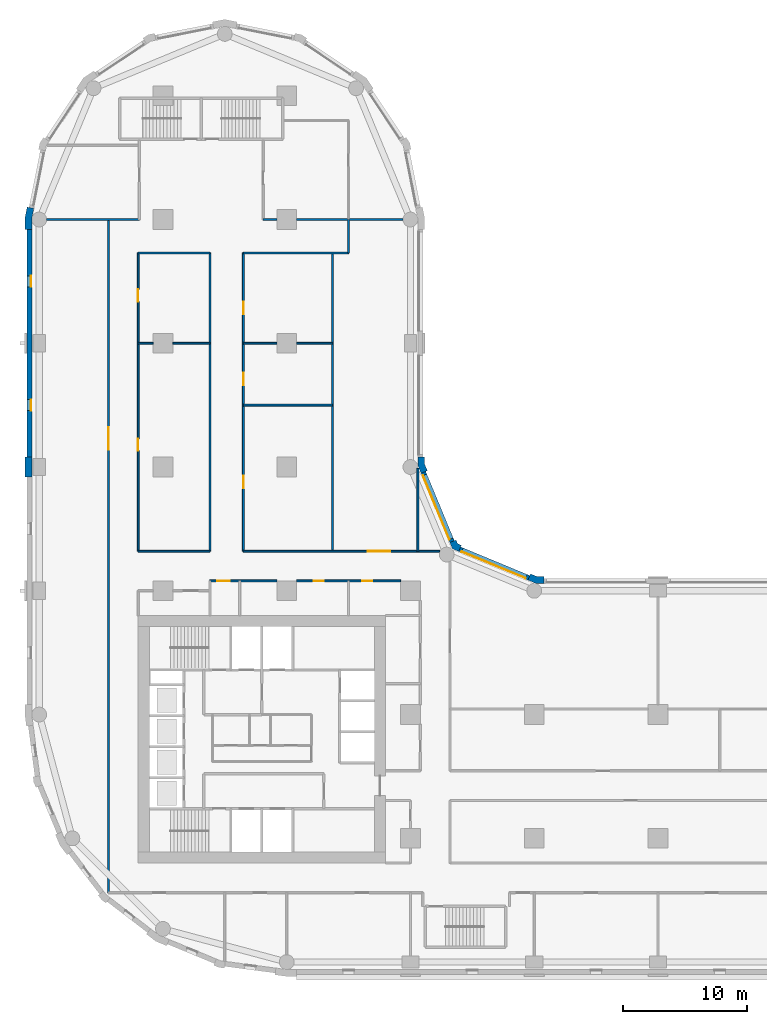
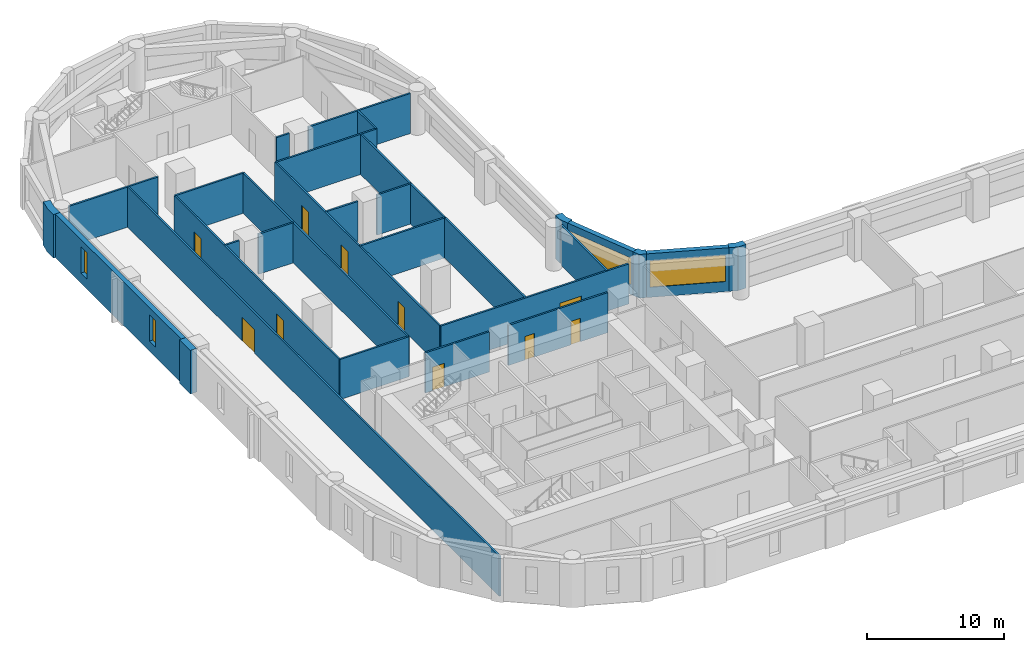
# One storey, part 5 of 10: 29 walls, 10 doors, 4 windows, 14 openings.
"""IFC4 building model written with IfcOpenShell, lengths in metres."""

from ifc_helpers import new_model, si_unit, direction, frame, frame_2d, origin, place, context, subcontext, project, spatial, polyline, rectangle, outline, extrude, material, layer, layer_set, type_object, element, fill, save


model = new_model("IFC4")

# Units and contexts
model_context = context("Model", 3, precision=1e-05, world=origin(), true_north=direction((0.0, 1.0)))
body_context = subcontext(model_context, "Body", "Model", "MODEL_VIEW")
ifc_project = project(units=[si_unit("LENGTHUNIT", "METRE"), si_unit("AREAUNIT", "SQUARE_METRE"), si_unit("VOLUMEUNIT", "CUBIC_METRE"), si_unit("PLANEANGLEUNIT", "RADIAN"), si_unit("MASSUNIT", "GRAM", prefix="KILO")], contexts=[model_context])

# Site, building, storey
site_placement = place(None, origin())
site = spatial("IfcSite", under=ifc_project, at=site_placement, CompositionType="ELEMENT")
building_placement = place(site_placement, origin())
building = spatial("IfcBuilding", under=site, at=building_placement, Name="Qaws Garden Tower", CompositionType="ELEMENT")
storey_placement = place(building_placement, frame((0.0, 0.0, 105.60009765625)))
storey = spatial("IfcBuildingStorey", under=building, at=storey_placement, Name="L26", CompositionType="ELEMENT", Elevation=105.60009765625)

# Wall, opening, window
ifc_material_1 = material(Name="Clay facing brick masonry", Category="masonry")
ifc_layer_1 = layer(ifc_material_1, 0.39990234375)
ifc_layer_set_1 = layer_set([ifc_layer_1], Name="Clay facing brick masonry")
wall_type_1 = type_object("IfcWallType", Name="Brick infill wall 400", PredefinedType="SOLIDWALL", material=ifc_layer_set_1)
wall_1_placement = place(storey_placement, frame((39.56689453125, 31.04541015625, 0.0), z_axis=(0.0, 0.0, 1.0), x_axis=(-0.923891000409, 0.382655745237, 0.0)))
wall_1 = element("IfcWall", 1, at=wall_1_placement, inside=storey, type_object=wall_type_1, Name="E-L26-infill-11", PredefinedType="SOLIDWALL", context=body_context, shape_type="SweptSolid", body=[
    extrude(rectangle(XDim=6.053466796875, YDim=0.39990234375, at=frame_2d((3.02685546875, 0.0))), origin(), (0.0, 0.0, 1.0), 3.89990234375),
])
opening_1_placement = place(wall_1_placement, frame((0.226806640625, 0.0, 0.89990234375)))
opening_1 = element("IfcOpeningElement", 2, at=opening_1_placement, cuts=wall_1, Name="Opening W04", PredefinedType="OPENING", context=body_context, shape_type="SweptSolid", body=[
    extrude(rectangle(XDim=5.60009765625, YDim=2.35009765625, at=frame_2d((2.800048828125, 1.175048828125))), frame((0.0, 0.2099609375, 0.0), z_axis=(0.0, -1.0, 0.0), x_axis=(1.0, 0.0, 0.0)), (0.0, 0.0, 1.0), 0.419921875),
])
ifc_material_2 = material(Name="Aluminium framed window, clear glazing", Category="aluminium")
window_type_1 = type_object("IfcWindowType", Name="Ribbon window 5600 x 2350", PartitioningType="DOUBLE_PANEL_VERTICAL", PredefinedType="WINDOW", material=ifc_material_2)
window_1_placement = place(opening_1_placement, origin())
window_1 = element("IfcWindow", 3, at=window_1_placement, inside=storey, type_object=window_type_1, Name="E-L26-window-11-0", OverallHeight=2.35009765625, OverallWidth=5.60009765625, PartitioningType="SINGLE_PANEL", PredefinedType="WINDOW", context=body_context, shape_type="SweptSolid", body=[
    extrude(rectangle(XDim=5.60009765625, YDim=2.35009765625, at=frame_2d((2.800048828125, 1.175048828125))), frame((0.0, 0.159912109375, 0.0), z_axis=(0.0, -1.0, 0.0), x_axis=(1.0, 0.0, 0.0)), (0.0, 0.0, 1.0), 0.06005859375),
])
fill(opening_1, window_1)

wall_2_placement = place(storey_placement, frame((33.36181640625, 33.97412109375, 0.0), z_axis=(0.0, 0.0, 1.0), x_axis=(-0.382655745237, 0.923891000409, 0.0)))
wall_2 = element("IfcWall", 4, at=wall_2_placement, inside=storey, type_object=wall_type_1, Name="E-L26-infill-12", PredefinedType="SOLIDWALL", context=body_context, shape_type="SweptSolid", body=[
    extrude(rectangle(XDim=6.053466796875, YDim=0.39990234375, at=frame_2d((3.02685546875, 0.0))), origin(), (0.0, 0.0, 1.0), 3.89990234375),
])
opening_2_placement = place(wall_2_placement, frame((0.226806640625, 0.0, 0.89990234375)))
opening_2 = element("IfcOpeningElement", 5, at=opening_2_placement, cuts=wall_2, Name="Opening W04", PredefinedType="OPENING", context=body_context, shape_type="SweptSolid", body=[
    extrude(rectangle(XDim=5.60009765625, YDim=2.35009765625, at=frame_2d((2.800048828125, 1.175048828125))), frame((0.0, 0.2099609375, 0.0), z_axis=(0.0, -1.0, 0.0), x_axis=(1.0, 0.0, 0.0)), (0.0, 0.0, 1.0), 0.419921875),
])
window_2_placement = place(opening_2_placement, origin())
window_2 = element("IfcWindow", 6, at=window_2_placement, inside=storey, type_object=window_type_1, Name="E-L26-window-12-0", OverallHeight=2.35009765625, OverallWidth=5.60009765625, PartitioningType="SINGLE_PANEL", PredefinedType="WINDOW", context=body_context, shape_type="SweptSolid", body=[
    extrude(rectangle(XDim=5.60009765625, YDim=2.35009765625, at=frame_2d((2.800048828125, 1.175048828125))), frame((0.0, 0.159912109375, 0.0), z_axis=(0.0, -1.0, 0.0), x_axis=(1.0, 0.0, 0.0)), (0.0, 0.0, 1.0), 0.06005859375),
])
fill(opening_2, window_2)

# Wall, openings, windows
wall_3_placement = place(storey_placement, frame((-0.800048828125, 59.199951171875, 0.0), z_axis=(0.0, 0.0, 1.0), x_axis=(0.0, -1.0, 0.0)))
wall_3 = element("IfcWall", 7, at=wall_3_placement, inside=storey, type_object=wall_type_1, Name="E-L26-infill-23", PredefinedType="SOLIDWALL", context=body_context, shape_type="SweptSolid", body=[
    extrude(rectangle(XDim=18.39990234375, YDim=0.39990234375, at=frame_2d((9.199951171875, 0.0))), origin(), (0.0, 0.0, 1.0), 3.89990234375),
])
opening_3_placement = place(wall_3_placement, frame((3.75, 0.0, 0.89990234375)))
opening_3 = element("IfcOpeningElement", 8, at=opening_3_placement, cuts=wall_3, Name="Opening W09", PredefinedType="OPENING", context=body_context, shape_type="SweptSolid", body=[
    extrude(rectangle(XDim=0.89990234375, YDim=2.35009765625, at=frame_2d((0.449951171875, 1.175048828125))), frame((0.0, 0.2099609375, 0.0), z_axis=(0.0, -1.0, 0.0), x_axis=(1.0, 0.0, 0.0)), (0.0, 0.0, 1.0), 0.419921875),
])
opening_4_placement = place(wall_3_placement, frame((13.75, 0.0, 0.89990234375)))
opening_4 = element("IfcOpeningElement", 9, at=opening_4_placement, cuts=wall_3, Name="Opening W09", PredefinedType="OPENING", context=body_context, shape_type="SweptSolid", body=[
    extrude(rectangle(XDim=0.89990234375, YDim=2.35009765625, at=frame_2d((0.449951171875, 1.175048828125))), frame((0.0, 0.2099609375, 0.0), z_axis=(0.0, -1.0, 0.0), x_axis=(1.0, 0.0, 0.0)), (0.0, 0.0, 1.0), 0.419921875),
])
ifc_material_3 = material(Name="Aluminium framed window, clear glazing", Category="aluminium")
window_type_2 = type_object("IfcWindowType", Name="Slit window 900 x 2350", PartitioningType="SINGLE_PANEL", PredefinedType="WINDOW", material=ifc_material_3)
window_3_placement = place(opening_3_placement, origin())
window_3 = element("IfcWindow", 10, at=window_3_placement, inside=storey, type_object=window_type_2, Name="E-L26-window-23-0", OverallHeight=2.35009765625, OverallWidth=0.89990234375, PartitioningType="SINGLE_PANEL", PredefinedType="WINDOW", context=body_context, shape_type="SweptSolid", body=[
    extrude(rectangle(XDim=0.89990234375, YDim=2.35009765625, at=frame_2d((0.449951171875, 1.175048828125))), frame((0.0, 0.159912109375, 0.0), z_axis=(0.0, -1.0, 0.0), x_axis=(1.0, 0.0, 0.0)), (0.0, 0.0, 1.0), 0.06005859375),
])
fill(opening_3, window_3)
window_4_placement = place(opening_4_placement, origin())
window_4 = element("IfcWindow", 11, at=window_4_placement, inside=storey, type_object=window_type_2, Name="E-L26-window-24-0", OverallHeight=2.35009765625, OverallWidth=0.89990234375, PartitioningType="SINGLE_PANEL", PredefinedType="WINDOW", context=body_context, shape_type="SweptSolid", body=[
    extrude(rectangle(XDim=0.89990234375, YDim=2.35009765625, at=frame_2d((0.449951171875, 1.175048828125))), frame((0.0, 0.159912109375, 0.0), z_axis=(0.0, -1.0, 0.0), x_axis=(1.0, 0.0, 0.0)), (0.0, 0.0, 1.0), 0.06005859375),
])
fill(opening_4, window_4)

# Walls
ifc_material_4 = material(Name="Clay facing brick masonry", Category="masonry")
ifc_layer_2 = layer(ifc_material_4, 0.550048828125)
ifc_layer_set_2 = layer_set([ifc_layer_2], Name="Clay facing brick masonry")
wall_type_2 = type_object("IfcWallType", Name="Brick pier 550 x 1600", PredefinedType="SOLIDWALL", material=ifc_layer_set_2)
placement = place(storey_placement, origin())
element("IfcWall", 12, at=placement, inside=storey, type_object=wall_type_2, Name="E-L26-pier-11", PredefinedType="SOLIDWALL", context=body_context, shape_type="SweptSolid", body=[
    extrude(outline(polyline([(40.800048828125, 31.0), (40.800048828125, 31.14990234375), (40.228759765625, 31.14990234375), (39.700927734375, 31.36865234375), (39.6435546875, 31.22998046875), (39.490478515625, 30.860595703125), (40.119384765625, 30.60009765625), (40.800048828125, 30.60009765625), (40.800048828125, 31.0)])), origin(), (0.0, 0.0, 1.0), 3.89990234375),
])
element("IfcWall", 13, at=placement, inside=storey, type_object=wall_type_2, Name="E-L26-pier-12", PredefinedType="SOLIDWALL", context=body_context, shape_type="SweptSolid", body=[
    extrude(outline(polyline([(34.05078125, 33.546630859375), (34.108154296875, 33.685302734375), (33.80908203125, 33.80908203125), (33.685302734375, 34.108154296875), (33.546630859375, 34.05078125), (33.177001953125, 33.897705078125), (33.38818359375, 33.38818359375), (33.897705078125, 33.177001953125), (34.05078125, 33.546630859375)])), origin(), (0.0, 0.0, 1.0), 3.89990234375),
])
element("IfcWall", 14, at=placement, inside=storey, type_object=wall_type_2, Name="E-L26-pier-13", PredefinedType="SOLIDWALL", context=body_context, shape_type="SweptSolid", body=[
    extrude(outline(polyline([(31.22998046875, 39.6435546875), (31.36865234375, 39.700927734375), (31.14990234375, 40.228759765625), (31.14990234375, 40.800048828125), (31.0, 40.800048828125), (30.60009765625, 40.800048828125), (30.60009765625, 40.119384765625), (30.860595703125, 39.490478515625), (31.22998046875, 39.6435546875)])), origin(), (0.0, 0.0, 1.0), 3.89990234375),
])
element("IfcWall", 15, at=placement, inside=storey, type_object=wall_type_2, Name="E-L26-pier-23", PredefinedType="SOLIDWALL", context=body_context, shape_type="SweptSolid", body=[
    extrude(outline(polyline([(-0.82470703125, 60.979736328125), (-0.971923828125, 61.009033203125), (-1.14990234375, 60.11328125), (-1.14990234375, 59.199951171875), (-1.0, 59.199951171875), (-0.60009765625, 59.199951171875), (-0.60009765625, 60.05908203125), (-0.432373046875, 60.901611328125), (-0.82470703125, 60.979736328125)])), origin(), (0.0, 0.0, 1.0), 3.89990234375),
])
element("IfcWall", 16, at=placement, inside=storey, type_object=wall_type_2, Name="E-L26-pier-25", PredefinedType="SOLIDWALL", context=body_context, shape_type="SweptSolid", body=[
    extrude(outline(polyline([(-1.0, 40.800048828125), (-1.14990234375, 40.800048828125), (-1.14990234375, 40.0), (-1.14990234375, 39.199951171875), (-1.0, 39.199951171875), (-0.60009765625, 39.199951171875), (-0.60009765625, 40.0), (-0.60009765625, 40.800048828125), (-1.0, 40.800048828125)])), origin(), (0.0, 0.0, 1.0), 3.89990234375),
])

# Wall, opening, door
ifc_material_5 = material(Name="Gypsum board partition")
ifc_layer_3 = layer(ifc_material_5, 0.14990234375)
ifc_layer_set_3 = layer_set([ifc_layer_3], Name="Gypsum board partition")
wall_type_3 = type_object("IfcWallType", Name="PARTITION 150 EI 60", PredefinedType="PARTITIONING", material=ifc_layer_set_3)
wall_9_placement = place(storey_placement, frame((5.60009765625, 5.60009765625, 0.0), z_axis=(0.0, 0.0, 1.0), x_axis=(0.0, 1.0, 0.0)))
wall_9 = element("IfcWall", 17, at=wall_9_placement, inside=storey, type_object=wall_type_3, Name="O-L26-wall-005", PredefinedType="PARTITIONING", context=body_context, shape_type="SweptSolid", body=[
    extrude(rectangle(XDim=54.39990234375, YDim=0.14990234375, at=frame_2d((27.199951171875, 0.0))), origin(), (0.0, 0.0, 1.0), 3.579833984375),
])
opening_5_placement = place(wall_9_placement, frame((35.800048828125, 0.0, 0.0)))
opening_5 = element("IfcOpeningElement", 18, at=opening_5_placement, cuts=wall_9, Name="Opening A901", PredefinedType="OPENING", context=body_context, shape_type="SweptSolid", body=[
    extrude(rectangle(XDim=1.800048828125, YDim=2.10009765625, at=frame_2d((0.89990234375, 1.050048828125))), frame((0.0, 0.0849609375, 0.0), z_axis=(0.0, -1.0, 0.0), x_axis=(1.0, 0.0, 0.0)), (0.0, 0.0, 1.0), 0.169921875),
])
ifc_material_6 = material(Name="Timber door leaf", Category="wood")
door_type_1 = type_object("IfcDoorType", Name="DOUBLE DOOR 1800 X 2100", OperationType="DOUBLE_DOOR_SINGLE_SWING", PredefinedType="DOOR", material=ifc_material_6)
door_1_placement = place(opening_5_placement, origin())
door_1 = element("IfcDoor", 19, at=door_1_placement, inside=storey, type_object=door_type_1, Name="O-L26-door-001", OperationType="DOUBLE_DOOR_SINGLE_SWING", OverallHeight=2.10009765625, OverallWidth=1.800048828125, PredefinedType="DOOR", context=body_context, shape_type="SweptSolid", body=[
    extrude(rectangle(XDim=1.800048828125, YDim=2.10009765625, at=frame_2d((0.89990234375, 1.050048828125))), frame((0.0, 0.02490234375, 0.0), z_axis=(0.0, -1.0, 0.0), x_axis=(1.0, 0.0, 0.0)), (0.0, 0.0, 1.0), 0.050048828125),
])
fill(opening_5, door_1)

# Wall, openings, doors
wall_10_placement = place(storey_placement, frame((8.0, 33.199951171875, 0.0), z_axis=(0.0, 0.0, 1.0), x_axis=(0.0, 1.0, 0.0)))
wall_10 = element("IfcWall", 20, at=wall_10_placement, inside=storey, type_object=wall_type_3, Name="O-L26-wall-007", PredefinedType="PARTITIONING", context=body_context, shape_type="SweptSolid", body=[
    extrude(rectangle(XDim=24.10009765625, YDim=0.14990234375, at=frame_2d((12.050048828125, 0.0))), origin(), (0.0, 0.0, 1.0), 3.579833984375),
])
opening_6_placement = place(wall_10_placement, frame((8.10009765625, 0.0, 0.0)))
opening_6 = element("IfcOpeningElement", 21, at=opening_6_placement, cuts=wall_10, Name="Opening A910", PredefinedType="OPENING", context=body_context, shape_type="SweptSolid", body=[
    extrude(rectangle(XDim=1.0, YDim=2.10009765625, at=frame_2d((0.5, 1.050048828125))), frame((0.0, 0.0849609375, 0.0), z_axis=(0.0, -1.0, 0.0), x_axis=(1.0, 0.0, 0.0)), (0.0, 0.0, 1.0), 0.169921875),
])
opening_7_placement = place(wall_10_placement, frame((20.14990234375, 0.0, 0.0)))
opening_7 = element("IfcOpeningElement", 22, at=opening_7_placement, cuts=wall_10, Name="Opening A911", PredefinedType="OPENING", context=body_context, shape_type="SweptSolid", body=[
    extrude(rectangle(XDim=1.0, YDim=2.10009765625, at=frame_2d((0.5, 1.050048828125))), frame((0.0, 0.0849609375, 0.0), z_axis=(0.0, -1.0, 0.0), x_axis=(1.0, 0.0, 0.0)), (0.0, 0.0, 1.0), 0.169921875),
])
ifc_material_7 = material(Name="Timber door leaf", Category="wood")
door_type_2 = type_object("IfcDoorType", Name="TENANCY ENTRANCE DOOR 1000 X 2100", OperationType="SINGLE_SWING_LEFT", PredefinedType="DOOR", material=ifc_material_7)
door_2_placement = place(opening_6_placement, frame((1.0, 0.0, 0.0), z_axis=(0.0, 0.0, 1.0), x_axis=(-1.0, 0.0, 0.0)))
door_2 = element("IfcDoor", 23, at=door_2_placement, inside=storey, type_object=door_type_2, Name="O-L26-door-010", OperationType="SINGLE_SWING_RIGHT", OverallHeight=2.10009765625, OverallWidth=1.0, PredefinedType="DOOR", context=body_context, shape_type="SweptSolid", body=[
    extrude(rectangle(XDim=1.0, YDim=2.10009765625, at=frame_2d((0.5, 1.050048828125))), frame((0.0, 0.02490234375, 0.0), z_axis=(0.0, -1.0, 0.0), x_axis=(1.0, 0.0, 0.0)), (0.0, 0.0, 1.0), 0.050048828125),
])
fill(opening_6, door_2)
door_3_placement = place(opening_7_placement, frame((1.0, 0.0, 0.0), z_axis=(0.0, 0.0, 1.0), x_axis=(-1.0, 0.0, 0.0)))
door_3 = element("IfcDoor", 24, at=door_3_placement, inside=storey, type_object=door_type_2, Name="O-L26-door-011", OperationType="SINGLE_SWING_RIGHT", OverallHeight=2.10009765625, OverallWidth=1.0, PredefinedType="DOOR", context=body_context, shape_type="SweptSolid", body=[
    extrude(rectangle(XDim=1.0, YDim=2.10009765625, at=frame_2d((0.5, 1.050048828125))), frame((0.0, 0.02490234375, 0.0), z_axis=(0.0, -1.0, 0.0), x_axis=(1.0, 0.0, 0.0)), (0.0, 0.0, 1.0), 0.050048828125),
])
fill(opening_7, door_3)

# Wall
wall_11_placement = place(storey_placement, frame((13.800048828125, 33.199951171875, 0.0), z_axis=(0.0, 0.0, 1.0), x_axis=(0.0, 1.0, 0.0)))
element("IfcWall", 25, at=wall_11_placement, inside=storey, type_object=wall_type_3, Name="O-L26-wall-010", PredefinedType="PARTITIONING", context=body_context, shape_type="SweptSolid", body=[
    extrude(rectangle(XDim=24.10009765625, YDim=0.14990234375, at=frame_2d((12.050048828125, 0.0))), origin(), (0.0, 0.0, 1.0), 3.579833984375),
])

# Wall, openings, doors
wall_12_placement = place(storey_placement, frame((16.5, 33.199951171875, 0.0), z_axis=(0.0, 0.0, 1.0), x_axis=(0.0, 1.0, 0.0)))
wall_12 = element("IfcWall", 26, at=wall_12_placement, inside=storey, type_object=wall_type_3, Name="O-L26-wall-013", PredefinedType="PARTITIONING", context=body_context, shape_type="SweptSolid", body=[
    extrude(rectangle(XDim=24.10009765625, YDim=0.14990234375, at=frame_2d((12.050048828125, 0.0))), origin(), (0.0, 0.0, 1.0), 3.579833984375),
])
opening_8_placement = place(wall_12_placement, frame((5.10009765625, 0.0, 0.0)))
opening_8 = element("IfcOpeningElement", 27, at=opening_8_placement, cuts=wall_12, Name="Opening A913", PredefinedType="OPENING", context=body_context, shape_type="SweptSolid", body=[
    extrude(rectangle(XDim=1.0, YDim=2.10009765625, at=frame_2d((0.5, 1.050048828125))), frame((0.0, 0.0849609375, 0.0), z_axis=(0.0, -1.0, 0.0), x_axis=(1.0, 0.0, 0.0)), (0.0, 0.0, 1.0), 0.169921875),
])
opening_9_placement = place(wall_12_placement, frame((13.39990234375, 0.0, 0.0)))
opening_9 = element("IfcOpeningElement", 28, at=opening_9_placement, cuts=wall_12, Name="Opening A914", PredefinedType="OPENING", context=body_context, shape_type="SweptSolid", body=[
    extrude(rectangle(XDim=1.0, YDim=2.10009765625, at=frame_2d((0.5, 1.050048828125))), frame((0.0, 0.0849609375, 0.0), z_axis=(0.0, -1.0, 0.0), x_axis=(1.0, 0.0, 0.0)), (0.0, 0.0, 1.0), 0.169921875),
])
opening_10_placement = place(wall_12_placement, frame((19.14990234375, 0.0, 0.0)))
opening_10 = element("IfcOpeningElement", 29, at=opening_10_placement, cuts=wall_12, Name="Opening A915", PredefinedType="OPENING", context=body_context, shape_type="SweptSolid", body=[
    extrude(rectangle(XDim=1.0, YDim=2.10009765625, at=frame_2d((0.5, 1.050048828125))), frame((0.0, 0.0849609375, 0.0), z_axis=(0.0, -1.0, 0.0), x_axis=(1.0, 0.0, 0.0)), (0.0, 0.0, 1.0), 0.169921875),
])
door_4_placement = place(opening_8_placement, frame((1.0, 0.0, 0.0), z_axis=(0.0, 0.0, 1.0), x_axis=(-1.0, 0.0, 0.0)))
door_4 = element("IfcDoor", 30, at=door_4_placement, inside=storey, type_object=door_type_2, Name="O-L26-door-013", OperationType="SINGLE_SWING_RIGHT", OverallHeight=2.10009765625, OverallWidth=1.0, PredefinedType="DOOR", context=body_context, shape_type="SweptSolid", body=[
    extrude(rectangle(XDim=1.0, YDim=2.10009765625, at=frame_2d((0.5, 1.050048828125))), frame((0.0, 0.02490234375, 0.0), z_axis=(0.0, -1.0, 0.0), x_axis=(1.0, 0.0, 0.0)), (0.0, 0.0, 1.0), 0.050048828125),
])
fill(opening_8, door_4)
door_5_placement = place(opening_9_placement, frame((1.0, 0.0, 0.0), z_axis=(0.0, 0.0, 1.0), x_axis=(-1.0, 0.0, 0.0)))
door_5 = element("IfcDoor", 31, at=door_5_placement, inside=storey, type_object=door_type_2, Name="O-L26-door-014", OperationType="SINGLE_SWING_RIGHT", OverallHeight=2.10009765625, OverallWidth=1.0, PredefinedType="DOOR", context=body_context, shape_type="SweptSolid", body=[
    extrude(rectangle(XDim=1.0, YDim=2.10009765625, at=frame_2d((0.5, 1.050048828125))), frame((0.0, 0.02490234375, 0.0), z_axis=(0.0, -1.0, 0.0), x_axis=(1.0, 0.0, 0.0)), (0.0, 0.0, 1.0), 0.050048828125),
])
fill(opening_9, door_5)
door_6_placement = place(opening_10_placement, frame((1.0, 0.0, 0.0), z_axis=(0.0, 0.0, 1.0), x_axis=(-1.0, 0.0, 0.0)))
door_6 = element("IfcDoor", 32, at=door_6_placement, inside=storey, type_object=door_type_2, Name="O-L26-door-015", OperationType="SINGLE_SWING_RIGHT", OverallHeight=2.10009765625, OverallWidth=1.0, PredefinedType="DOOR", context=body_context, shape_type="SweptSolid", body=[
    extrude(rectangle(XDim=1.0, YDim=2.10009765625, at=frame_2d((0.5, 1.050048828125))), frame((0.0, 0.02490234375, 0.0), z_axis=(0.0, -1.0, 0.0), x_axis=(1.0, 0.0, 0.0)), (0.0, 0.0, 1.0), 0.050048828125),
])
fill(opening_10, door_6)

# Walls
wall_13_placement = place(storey_placement, frame((23.699951171875, 33.199951171875, 0.0), z_axis=(0.0, 0.0, 1.0), x_axis=(0.0, 1.0, 0.0)))
element("IfcWall", 33, at=wall_13_placement, inside=storey, type_object=wall_type_3, Name="O-L26-wall-016", PredefinedType="PARTITIONING", context=body_context, shape_type="SweptSolid", body=[
    extrude(rectangle(XDim=24.10009765625, YDim=0.14990234375, at=frame_2d((12.050048828125, 0.0))), origin(), (0.0, 0.0, 1.0), 3.579833984375),
])
wall_14_placement = place(storey_placement, frame((25.0, 57.300048828125, 0.0), z_axis=(0.0, 0.0, 1.0), x_axis=(0.0, 1.0, 0.0)))
element("IfcWall", 34, at=wall_14_placement, inside=storey, type_object=wall_type_3, Name="O-L26-wall-018", PredefinedType="PARTITIONING", context=body_context, shape_type="SweptSolid", body=[
    extrude(rectangle(XDim=2.699951171875, YDim=0.14990234375, at=frame_2d((1.35009765625, 0.0))), origin(), (0.0, 0.0, 1.0), 3.579833984375),
])
wall_15_placement = place(storey_placement, frame((30.60009765625, 33.199951171875, 0.0), z_axis=(0.0, 0.0, 1.0), x_axis=(0.0, 1.0, 0.0)))
element("IfcWall", 35, at=wall_15_placement, inside=storey, type_object=wall_type_3, Name="O-L26-wall-022", PredefinedType="PARTITIONING", context=body_context, shape_type="SweptSolid", body=[
    extrude(rectangle(XDim=6.698974609375, YDim=0.14990234375, at=frame_2d((3.349609375, 0.0))), origin(), (0.0, 0.0, 1.0), 3.579833984375),
])

# Wall, opening, door
wall_16_placement = place(storey_placement, frame((13.800048828125, 30.800048828125, 0.0), z_axis=(0.0, 0.0, 1.0), x_axis=(1.0, 0.0, 0.0)))
wall_16 = element("IfcWall", 36, at=wall_16_placement, inside=storey, type_object=wall_type_3, Name="O-L26-wall-051", PredefinedType="PARTITIONING", context=body_context, shape_type="SweptSolid", body=[
    extrude(rectangle(XDim=5.39990234375, YDim=0.14990234375, at=frame_2d((2.699951171875, 0.0))), origin(), (0.0, 0.0, 1.0), 3.579833984375),
])
opening_11_placement = place(wall_16_placement, frame((0.60009765625, 0.0, 0.0)))
opening_11 = element("IfcOpeningElement", 37, at=opening_11_placement, cuts=wall_16, Name="Opening A919", PredefinedType="OPENING", context=body_context, shape_type="SweptSolid", body=[
    extrude(rectangle(XDim=1.0, YDim=2.10009765625, at=frame_2d((0.5, 1.050048828125))), frame((0.0, 0.0849609375, 0.0), z_axis=(0.0, -1.0, 0.0), x_axis=(1.0, 0.0, 0.0)), (0.0, 0.0, 1.0), 0.169921875),
])
door_7_placement = place(opening_11_placement, frame((1.0, 0.0, 0.0), z_axis=(0.0, 0.0, 1.0), x_axis=(-1.0, 0.0, 0.0)))
door_7 = element("IfcDoor", 38, at=door_7_placement, inside=storey, type_object=door_type_2, Name="O-L26-door-019", OperationType="SINGLE_SWING_RIGHT", OverallHeight=2.10009765625, OverallWidth=1.0, PredefinedType="DOOR", context=body_context, shape_type="SweptSolid", body=[
    extrude(rectangle(XDim=1.0, YDim=2.10009765625, at=frame_2d((0.5, 1.050048828125))), frame((0.0, 0.02490234375, 0.0), z_axis=(0.0, -1.0, 0.0), x_axis=(1.0, 0.0, 0.0)), (0.0, 0.0, 1.0), 0.050048828125),
])
fill(opening_11, door_7)

# Wall, openings, doors
wall_17_placement = place(storey_placement, frame((20.800048828125, 30.800048828125, 0.0), z_axis=(0.0, 0.0, 1.0), x_axis=(1.0, 0.0, 0.0)))
wall_17 = element("IfcWall", 39, at=wall_17_placement, inside=storey, type_object=wall_type_3, Name="O-L26-wall-052", PredefinedType="PARTITIONING", context=body_context, shape_type="SweptSolid", body=[
    extrude(rectangle(XDim=8.39990234375, YDim=0.14990234375, at=frame_2d((4.199951171875, 0.0))), origin(), (0.0, 0.0, 1.0), 3.579833984375),
])
opening_12_placement = place(wall_17_placement, frame((1.39990234375, 0.0, 0.0)))
opening_12 = element("IfcOpeningElement", 40, at=opening_12_placement, cuts=wall_17, Name="Opening A908", PredefinedType="OPENING", context=body_context, shape_type="SweptSolid", body=[
    extrude(rectangle(XDim=0.800048828125, YDim=2.10009765625, at=frame_2d((0.39990234375, 1.050048828125))), frame((0.0, 0.0849609375, 0.0), z_axis=(0.0, -1.0, 0.0), x_axis=(1.0, 0.0, 0.0)), (0.0, 0.0, 1.0), 0.169921875),
])
opening_13_placement = place(wall_17_placement, frame((5.300048828125, 0.0, 0.0)))
opening_13 = element("IfcOpeningElement", 41, at=opening_13_placement, cuts=wall_17, Name="Opening A909", PredefinedType="OPENING", context=body_context, shape_type="SweptSolid", body=[
    extrude(rectangle(XDim=0.800048828125, YDim=2.10009765625, at=frame_2d((0.39990234375, 1.050048828125))), frame((0.0, 0.0849609375, 0.0), z_axis=(0.0, -1.0, 0.0), x_axis=(1.0, 0.0, 0.0)), (0.0, 0.0, 1.0), 0.169921875),
])
ifc_material_8 = material(Name="Timber door leaf", Category="wood")
door_type_3 = type_object("IfcDoorType", Name="STORE DOOR 800 X 2100", OperationType="SINGLE_SWING_LEFT", PredefinedType="DOOR", material=ifc_material_8)
door_8_placement = place(opening_12_placement, frame((0.800048828125, 0.0, 0.0), z_axis=(0.0, 0.0, 1.0), x_axis=(-1.0, 0.0, 0.0)))
door_8 = element("IfcDoor", 42, at=door_8_placement, inside=storey, type_object=door_type_3, Name="O-L26-door-008", OperationType="SINGLE_SWING_RIGHT", OverallHeight=2.10009765625, OverallWidth=0.800048828125, PredefinedType="DOOR", context=body_context, shape_type="SweptSolid", body=[
    extrude(rectangle(XDim=0.800048828125, YDim=2.10009765625, at=frame_2d((0.39990234375, 1.050048828125))), frame((0.0, 0.02490234375, 0.0), z_axis=(0.0, -1.0, 0.0), x_axis=(1.0, 0.0, 0.0)), (0.0, 0.0, 1.0), 0.050048828125),
])
fill(opening_12, door_8)
door_9_placement = place(opening_13_placement, frame((0.800048828125, 0.0, 0.0), z_axis=(0.0, 0.0, 1.0), x_axis=(-1.0, 0.0, 0.0)))
door_9 = element("IfcDoor", 43, at=door_9_placement, inside=storey, type_object=door_type_3, Name="O-L26-door-009", OperationType="SINGLE_SWING_RIGHT", OverallHeight=2.10009765625, OverallWidth=0.800048828125, PredefinedType="DOOR", context=body_context, shape_type="SweptSolid", body=[
    extrude(rectangle(XDim=0.800048828125, YDim=2.10009765625, at=frame_2d((0.39990234375, 1.050048828125))), frame((0.0, 0.02490234375, 0.0), z_axis=(0.0, -1.0, 0.0), x_axis=(1.0, 0.0, 0.0)), (0.0, 0.0, 1.0), 0.050048828125),
])
fill(opening_13, door_9)

# Wall
wall_18_placement = place(storey_placement, frame((8.0, 33.199951171875, 0.0), z_axis=(0.0, 0.0, 1.0), x_axis=(1.0, 0.0, 0.0)))
element("IfcWall", 44, at=wall_18_placement, inside=storey, type_object=wall_type_3, Name="O-L26-wall-053", PredefinedType="PARTITIONING", context=body_context, shape_type="SweptSolid", body=[
    extrude(rectangle(XDim=5.800048828125, YDim=0.14990234375, at=frame_2d((2.89990234375, 0.0))), origin(), (0.0, 0.0, 1.0), 3.579833984375),
])

# Wall, opening, door
wall_19_placement = place(storey_placement, frame((16.5, 33.199951171875, 0.0), z_axis=(0.0, 0.0, 1.0), x_axis=(1.0, 0.0, 0.0)))
wall_19 = element("IfcWall", 45, at=wall_19_placement, inside=storey, type_object=wall_type_3, Name="O-L26-wall-054", PredefinedType="PARTITIONING", context=body_context, shape_type="SweptSolid", body=[
    extrude(rectangle(XDim=15.862060546875, YDim=0.14990234375, at=frame_2d((7.93115234375, 0.0))), origin(), (0.0, 0.0, 1.0), 3.579833984375),
])
opening_14_placement = place(wall_19_placement, frame((10.050048828125, 0.0, 0.0)))
opening_14 = element("IfcOpeningElement", 46, at=opening_14_placement, cuts=wall_19, Name="Opening A916", PredefinedType="OPENING", context=body_context, shape_type="SweptSolid", body=[
    extrude(rectangle(XDim=1.800048828125, YDim=2.10009765625, at=frame_2d((0.89990234375, 1.050048828125))), frame((0.0, 0.0849609375, 0.0), z_axis=(0.0, -1.0, 0.0), x_axis=(1.0, 0.0, 0.0)), (0.0, 0.0, 1.0), 0.169921875),
])
door_10_placement = place(opening_14_placement, origin())
door_10 = element("IfcDoor", 47, at=door_10_placement, inside=storey, type_object=door_type_1, Name="O-L26-door-016", OperationType="DOUBLE_DOOR_SINGLE_SWING", OverallHeight=2.10009765625, OverallWidth=1.800048828125, PredefinedType="DOOR", context=body_context, shape_type="SweptSolid", body=[
    extrude(rectangle(XDim=1.800048828125, YDim=2.10009765625, at=frame_2d((0.89990234375, 1.050048828125))), frame((0.0, 0.02490234375, 0.0), z_axis=(0.0, -1.0, 0.0), x_axis=(1.0, 0.0, 0.0)), (0.0, 0.0, 1.0), 0.050048828125),
])
fill(opening_14, door_10)

# Walls
wall_20_placement = place(storey_placement, frame((16.5, 45.0, 0.0), z_axis=(0.0, 0.0, 1.0), x_axis=(1.0, 0.0, 0.0)))
element("IfcWall", 48, at=wall_20_placement, inside=storey, type_object=wall_type_3, Name="O-L26-wall-055", PredefinedType="PARTITIONING", context=body_context, shape_type="SweptSolid", body=[
    extrude(rectangle(XDim=7.199951171875, YDim=0.14990234375, at=frame_2d((3.60009765625, 0.0))), origin(), (0.0, 0.0, 1.0), 3.579833984375),
])
wall_21_placement = place(storey_placement, frame((8.0, 50.0, 0.0), z_axis=(0.0, 0.0, 1.0), x_axis=(1.0, 0.0, 0.0)))
element("IfcWall", 49, at=wall_21_placement, inside=storey, type_object=wall_type_3, Name="O-L26-wall-056", PredefinedType="PARTITIONING", context=body_context, shape_type="SweptSolid", body=[
    extrude(rectangle(XDim=1.199951171875, YDim=0.14990234375, at=frame_2d((0.60009765625, 0.0))), origin(), (0.0, 0.0, 1.0), 3.579833984375),
])
wall_22_placement = place(storey_placement, frame((10.800048828125, 50.0, 0.0), z_axis=(0.0, 0.0, 1.0), x_axis=(1.0, 0.0, 0.0)))
element("IfcWall", 50, at=wall_22_placement, inside=storey, type_object=wall_type_3, Name="O-L26-wall-057", PredefinedType="PARTITIONING", context=body_context, shape_type="SweptSolid", body=[
    extrude(rectangle(XDim=3.0, YDim=0.14990234375, at=frame_2d((1.5, 0.0))), origin(), (0.0, 0.0, 1.0), 3.579833984375),
])
wall_23_placement = place(storey_placement, frame((16.5, 50.0, 0.0), z_axis=(0.0, 0.0, 1.0), x_axis=(1.0, 0.0, 0.0)))
element("IfcWall", 51, at=wall_23_placement, inside=storey, type_object=wall_type_3, Name="O-L26-wall-058", PredefinedType="PARTITIONING", context=body_context, shape_type="SweptSolid", body=[
    extrude(rectangle(XDim=2.699951171875, YDim=0.14990234375, at=frame_2d((1.35009765625, 0.0))), origin(), (0.0, 0.0, 1.0), 3.579833984375),
])
wall_24_placement = place(storey_placement, frame((20.800048828125, 50.0, 0.0), z_axis=(0.0, 0.0, 1.0), x_axis=(1.0, 0.0, 0.0)))
element("IfcWall", 52, at=wall_24_placement, inside=storey, type_object=wall_type_3, Name="O-L26-wall-059", PredefinedType="PARTITIONING", context=body_context, shape_type="SweptSolid", body=[
    extrude(rectangle(XDim=2.89990234375, YDim=0.14990234375, at=frame_2d((1.449951171875, 0.0))), origin(), (0.0, 0.0, 1.0), 3.579833984375),
])
wall_25_placement = place(storey_placement, frame((8.0, 57.300048828125, 0.0), z_axis=(0.0, 0.0, 1.0), x_axis=(1.0, 0.0, 0.0)))
element("IfcWall", 53, at=wall_25_placement, inside=storey, type_object=wall_type_3, Name="O-L26-wall-060", PredefinedType="PARTITIONING", context=body_context, shape_type="SweptSolid", body=[
    extrude(rectangle(XDim=5.800048828125, YDim=0.14990234375, at=frame_2d((2.89990234375, 0.0))), origin(), (0.0, 0.0, 1.0), 3.579833984375),
])
wall_26_placement = place(storey_placement, frame((16.5, 57.300048828125, 0.0), z_axis=(0.0, 0.0, 1.0), x_axis=(1.0, 0.0, 0.0)))
element("IfcWall", 54, at=wall_26_placement, inside=storey, type_object=wall_type_3, Name="O-L26-wall-061", PredefinedType="PARTITIONING", context=body_context, shape_type="SweptSolid", body=[
    extrude(rectangle(XDim=8.5, YDim=0.14990234375, at=frame_2d((4.25, 0.0))), origin(), (0.0, 0.0, 1.0), 3.579833984375),
])
wall_27_placement = place(storey_placement, frame((0.60009765625, 60.0, 0.0), z_axis=(0.0, 0.0, 1.0), x_axis=(1.0, 0.0, 0.0)))
element("IfcWall", 55, at=wall_27_placement, inside=storey, type_object=wall_type_3, Name="O-L26-wall-062", PredefinedType="PARTITIONING", context=body_context, shape_type="SweptSolid", body=[
    extrude(rectangle(XDim=7.5, YDim=0.14990234375, at=frame_2d((3.75, 0.0))), origin(), (0.0, 0.0, 1.0), 3.579833984375),
])
wall_28_placement = place(storey_placement, frame((18.10009765625, 60.0, 0.0), z_axis=(0.0, 0.0, 1.0), x_axis=(1.0, 0.0, 0.0)))
element("IfcWall", 56, at=wall_28_placement, inside=storey, type_object=wall_type_3, Name="O-L26-wall-063", PredefinedType="PARTITIONING", context=body_context, shape_type="SweptSolid", body=[
    extrude(rectangle(XDim=1.099853515625, YDim=0.14990234375, at=frame_2d((0.5498046875, 0.0))), origin(), (0.0, 0.0, 1.0), 3.579833984375),
])
wall_29_placement = place(storey_placement, frame((20.800048828125, 60.0, 0.0), z_axis=(0.0, 0.0, 1.0), x_axis=(1.0, 0.0, 0.0)))
element("IfcWall", 57, at=wall_29_placement, inside=storey, type_object=wall_type_3, Name="O-L26-wall-064", PredefinedType="PARTITIONING", context=body_context, shape_type="SweptSolid", body=[
    extrude(rectangle(XDim=8.599853515625, YDim=0.14990234375, at=frame_2d((4.2998046875, 0.0))), origin(), (0.0, 0.0, 1.0), 3.579833984375),
])

save(model, "model.ifc")
